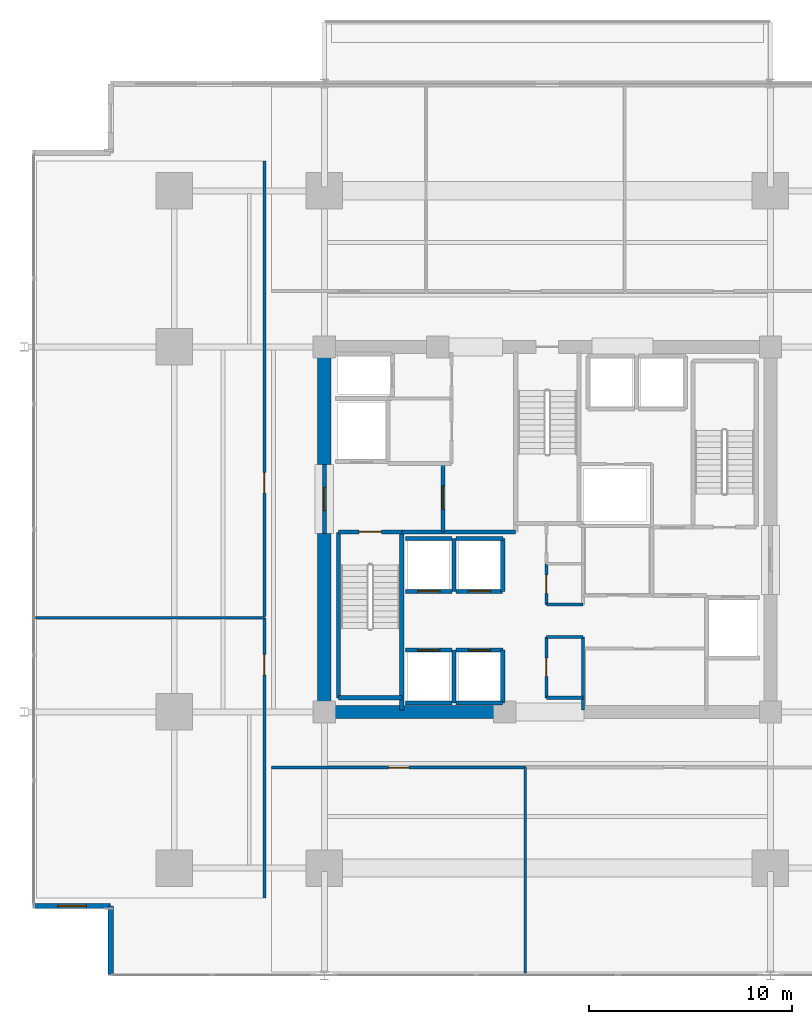
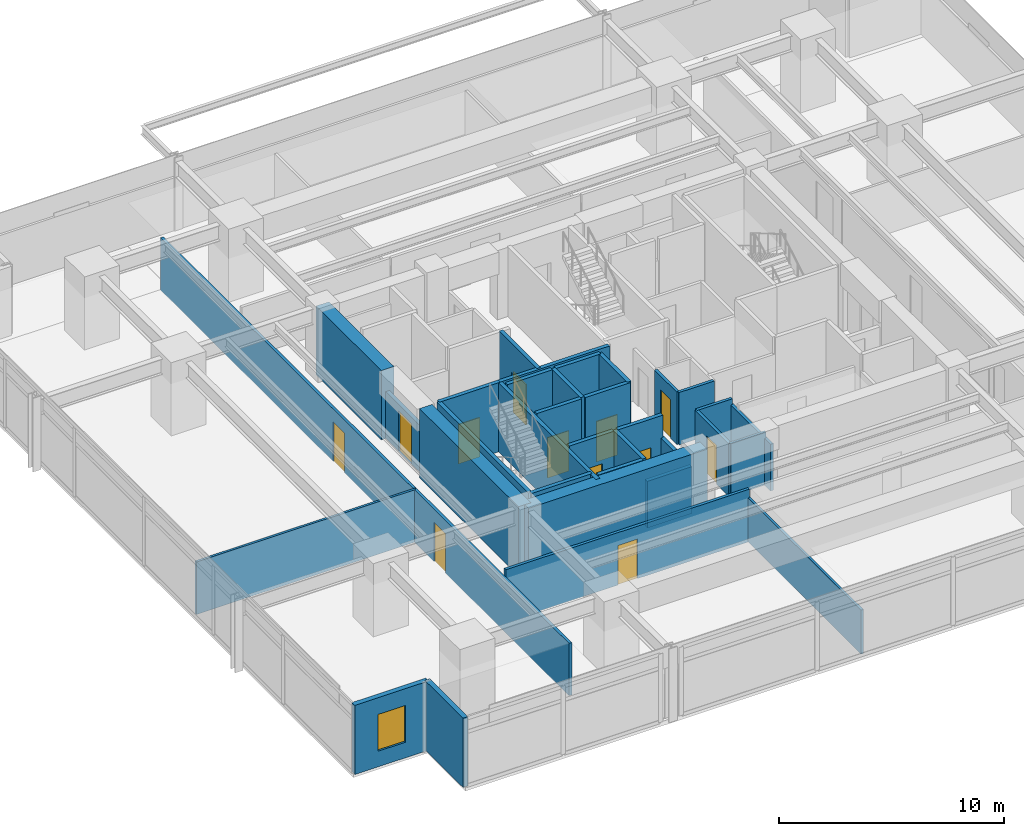
# One storey, part 15 of 22: 35 walls, 12 doors, 1 window, 13 openings.
"""IFC4 building model written with IfcOpenShell, lengths in metres."""

from ifc_helpers import new_model, si_unit, direction, frame, frame_2d, origin, place, context, subcontext, project, spatial, rectangle, extrude, material, layer, layer_set, type_object, element, fill, save


model = new_model("IFC4")

# Units and contexts
model_context = context("Model", 3, precision=1e-05, world=origin(), true_north=direction((0.0, 1.0)))
body_context = subcontext(model_context, "Body", "Model", "MODEL_VIEW")
ifc_project = project(units=[si_unit("LENGTHUNIT", "METRE"), si_unit("AREAUNIT", "SQUARE_METRE"), si_unit("VOLUMEUNIT", "CUBIC_METRE"), si_unit("PLANEANGLEUNIT", "RADIAN"), si_unit("MASSUNIT", "GRAM", prefix="KILO")], contexts=[model_context])

# Site, building, storey
site_placement = place(None, origin())
site = spatial("IfcSite", under=ifc_project, at=site_placement, CompositionType="ELEMENT")
building_placement = place(site_placement, origin())
building = spatial("IfcBuilding", under=site, at=building_placement, Name="Kovane Verandah Tower", CompositionType="ELEMENT")
storey_placement = place(building_placement, frame((0.0, 0.0, 43.60009765625)))
storey = spatial("IfcBuildingStorey", under=building, at=storey_placement, Name="L09", CompositionType="ELEMENT", Elevation=43.60009765625)

# Walls
ifc_material_1 = material(Name="Fire-Rated Gypsum Stud Partition", Category="gypsum")
ifc_layer_1 = layer(ifc_material_1, 0.14990234375)
ifc_layer_set_1 = layer_set([ifc_layer_1], Name="Fire-Rated Gypsum Stud Partition")
wall_type_1 = type_object("IfcWallType", Name="WL-COR-150", PredefinedType="PARTITIONING", material=ifc_layer_set_1)
for number, where, z_axis, x_axis, name in (
    (1, (39.949951171875, 19.199951171875, 0.0), (0.0, 0.0, 1.0), (1.0, 0.0, 0.0), "L09 Central Core Strip South Wall"),
    (2, (39.949951171875, 22.199951171875, 0.0), (0.0, 0.0, 1.0), (1.0, 0.0, 0.0), "L09 Core Cross-Passage South Wall"),
    (3, (39.949951171875, 23.800048828125, 0.0), (0.0, 0.0, 1.0), (1.0, 0.0, 0.0), "L09 Core Cross-Passage North Wall"),
):
    element("IfcWall", number, at=place(storey_placement, frame(where, z_axis=z_axis, x_axis=x_axis)), inside=storey, type_object=wall_type_1, Name=name, PredefinedType="PARTITIONING", context=body_context, shape_type="SweptSolid", body=[
        extrude(rectangle(XDim=1.81005859375, YDim=0.14990234375, at=frame_2d((0.905029296875, 0.0))), origin(), (0.0, 0.0, 1.0), 2.849853515625),
    ])
wall_1_placement = place(storey_placement, frame((41.760009765625, 18.60009765625, 0.0), z_axis=(0.0, 0.0, 1.0), x_axis=(0.0, 1.0, 0.0)))
element("IfcWall", 4, at=wall_1_placement, inside=storey, type_object=wall_type_1, Name="L09 Central Core Strip Lower East Wall", PredefinedType="PARTITIONING", context=body_context, shape_type="SweptSolid", body=[
    extrude(rectangle(XDim=3.599853515625, YDim=0.14990234375, at=frame_2d((1.7998046875, 0.0))), origin(), (0.0, 0.0, 1.0), 2.539794921875),
])

# Wall, opening, door
wall_2_placement = place(storey_placement, frame((39.949951171875, 19.199951171875, 0.0), z_axis=(0.0, 0.0, 1.0), x_axis=(0.0, 1.0, 0.0)))
wall_2 = element("IfcWall", 5, at=wall_2_placement, inside=storey, type_object=wall_type_1, Name="L09 Male Toilet Partition", PredefinedType="PARTITIONING", context=body_context, shape_type="SweptSolid", body=[
    extrude(rectangle(XDim=3.0, YDim=0.14990234375, at=frame_2d((1.5, 0.0))), origin(), (0.0, 0.0, 1.0), 2.849853515625),
])
opening_1_placement = place(wall_2_placement, frame((1.050048828125, 0.0, 0.0)))
opening_1 = element("IfcOpeningElement", 6, at=opening_1_placement, cuts=wall_2, Name="Opening DR-L09-026", PredefinedType="OPENING", context=body_context, shape_type="SweptSolid", body=[
    extrude(rectangle(XDim=0.89990234375, YDim=2.10009765625, at=frame_2d((0.449951171875, 1.050048828125))), frame((0.0, 0.074951171875, 0.0), z_axis=(0.0, -1.0, 0.0), x_axis=(1.0, 0.0, 0.0)), (0.0, 0.0, 1.0), 0.14990234375),
])
ifc_material_2 = material(Name="Moisture-Resistant Laminate Washroom Door", Category="wood")
door_type_1 = type_object("IfcDoorType", Name="DR-WC-900", OperationType="SINGLE_SWING_LEFT", PredefinedType="DOOR", material=ifc_material_2)
door_1_placement = place(opening_1_placement, origin())
door_1 = element("IfcDoor", 7, at=door_1_placement, inside=storey, type_object=door_type_1, Name="L09 Male Toilet Door", OperationType="SINGLE_SWING_LEFT", OverallHeight=2.10009765625, OverallWidth=0.89990234375, PredefinedType="DOOR", context=body_context, shape_type="SweptSolid", body=[
    extrude(rectangle(XDim=0.89990234375, YDim=2.10009765625, at=frame_2d((0.449951171875, 1.050048828125))), frame((0.0, 0.02490234375, 0.0), z_axis=(0.0, -1.0, 0.0), x_axis=(1.0, 0.0, 0.0)), (0.0, 0.0, 1.0), 0.050048828125),
])
fill(opening_1, door_1)

wall_3_placement = place(storey_placement, frame((39.949951171875, 23.800048828125, 0.0), z_axis=(0.0, 0.0, 1.0), x_axis=(0.0, 1.0, 0.0)))
wall_3 = element("IfcWall", 8, at=wall_3_placement, inside=storey, type_object=wall_type_1, Name="L09 Female Toilet Partition", PredefinedType="PARTITIONING", context=body_context, shape_type="SweptSolid", body=[
    extrude(rectangle(XDim=2.0, YDim=0.14990234375, at=frame_2d((1.0, 0.0))), origin(), (0.0, 0.0, 1.0), 2.849853515625),
])
opening_2_placement = place(wall_3_placement, frame((0.550048828125, 0.0, 0.0)))
opening_2 = element("IfcOpeningElement", 9, at=opening_2_placement, cuts=wall_3, Name="Opening DR-L09-025", PredefinedType="OPENING", context=body_context, shape_type="SweptSolid", body=[
    extrude(rectangle(XDim=0.89990234375, YDim=2.10009765625, at=frame_2d((0.449951171875, 1.050048828125))), frame((0.0, 0.074951171875, 0.0), z_axis=(0.0, -1.0, 0.0), x_axis=(1.0, 0.0, 0.0)), (0.0, 0.0, 1.0), 0.14990234375),
])
door_2_placement = place(opening_2_placement, origin())
door_2 = element("IfcDoor", 10, at=door_2_placement, inside=storey, type_object=door_type_1, Name="L09 Female Toilet Door", OperationType="SINGLE_SWING_RIGHT", OverallHeight=2.10009765625, OverallWidth=0.89990234375, PredefinedType="DOOR", context=body_context, shape_type="SweptSolid", body=[
    extrude(rectangle(XDim=0.89990234375, YDim=2.10009765625, at=frame_2d((0.449951171875, 1.050048828125))), frame((0.0, 0.02490234375, 0.0), z_axis=(0.0, -1.0, 0.0), x_axis=(1.0, 0.0, 0.0)), (0.0, 0.0, 1.0), 0.050048828125),
])
fill(opening_2, door_2)

wall_4_placement = place(storey_placement, frame((26.39990234375, 15.75, 0.0), z_axis=(0.0, 0.0, 1.0), x_axis=(1.0, 0.0, 0.0)))
wall_4 = element("IfcWall", 11, at=wall_4_placement, inside=storey, type_object=wall_type_1, Name="L09 Focus Studio S1 Corridor Partition", PredefinedType="PARTITIONING", context=body_context, shape_type="SweptSolid", body=[
    extrude(rectangle(XDim=12.51220703125, YDim=0.14990234375, at=frame_2d((6.256103515625, 0.0))), origin(), (0.0, 0.0, 1.0), 2.849853515625),
])
opening_3_placement = place(wall_4_placement, frame((5.77099609375, 0.0, 0.0)))
opening_3 = element("IfcOpeningElement", 12, at=opening_3_placement, cuts=wall_4, Name="Opening DR-L09-021", PredefinedType="OPENING", context=body_context, shape_type="SweptSolid", body=[
    extrude(rectangle(XDim=1.0, YDim=2.14990234375, at=frame_2d((0.5, 1.074951171875))), frame((0.0, 0.074951171875, 0.0), z_axis=(0.0, -1.0, 0.0), x_axis=(1.0, 0.0, 0.0)), (0.0, 0.0, 1.0), 0.14990234375),
])
ifc_material_3 = material(Name="FSC Spotted-Gum Timber Fire-Rated Office Door", Category="wood")
door_type_2 = type_object("IfcDoorType", Name="DR-OFF-1000", OperationType="SINGLE_SWING_LEFT", PredefinedType="DOOR", material=ifc_material_3)
door_3_placement = place(opening_3_placement, origin())
door_3 = element("IfcDoor", 13, at=door_3_placement, inside=storey, type_object=door_type_2, Name="L09 Focus Studio S1 Entrance Door", OperationType="SINGLE_SWING_RIGHT", OverallHeight=2.14990234375, OverallWidth=1.0, PredefinedType="DOOR", context=body_context, shape_type="SweptSolid", body=[
    extrude(rectangle(XDim=1.0, YDim=2.14990234375, at=frame_2d((0.5, 1.074951171875))), frame((0.0, 0.02490234375, 0.0), z_axis=(0.0, -1.0, 0.0), x_axis=(1.0, 0.0, 0.0)), (0.0, 0.0, 1.0), 0.050048828125),
])
fill(opening_3, door_3)

wall_5_placement = place(storey_placement, frame((26.050048828125, 9.326904296875, 0.0), z_axis=(0.0, 0.0, 1.0), x_axis=(0.0, 1.0, 0.0)))
wall_5 = element("IfcWall", 14, at=wall_5_placement, inside=storey, type_object=wall_type_1, Name="L09 Collaboration Hub W1 Corridor Partition", PredefinedType="PARTITIONING", context=body_context, shape_type="SweptSolid", body=[
    extrude(rectangle(XDim=13.8115234375, YDim=0.14990234375, at=frame_2d((6.90576171875, 0.0))), origin(), (0.0, 0.0, 1.0), 2.849853515625),
])
opening_4_placement = place(wall_5_placement, frame((11.00732421875, 0.0, 0.0)))
opening_4 = element("IfcOpeningElement", 15, at=opening_4_placement, cuts=wall_5, Name="Opening DR-L09-027", PredefinedType="OPENING", context=body_context, shape_type="SweptSolid", body=[
    extrude(rectangle(XDim=1.0, YDim=2.14990234375, at=frame_2d((0.5, 1.074951171875))), frame((0.0, 0.074951171875, 0.0), z_axis=(0.0, -1.0, 0.0), x_axis=(1.0, 0.0, 0.0)), (0.0, 0.0, 1.0), 0.14990234375),
])
door_4_placement = place(opening_4_placement, origin())
door_4 = element("IfcDoor", 16, at=door_4_placement, inside=storey, type_object=door_type_2, Name="L09 Collaboration Hub W1 Entrance Door", OperationType="SINGLE_SWING_RIGHT", OverallHeight=2.14990234375, OverallWidth=1.0, PredefinedType="DOOR", context=body_context, shape_type="SweptSolid", body=[
    extrude(rectangle(XDim=1.0, YDim=2.14990234375, at=frame_2d((0.5, 1.074951171875))), frame((0.0, 0.02490234375, 0.0), z_axis=(0.0, -1.0, 0.0), x_axis=(1.0, 0.0, 0.0)), (0.0, 0.0, 1.0), 0.050048828125),
])
fill(opening_4, door_4)

wall_6_placement = place(storey_placement, frame((26.050048828125, 23.20849609375, 0.0), z_axis=(0.0, 0.0, 1.0), x_axis=(0.0, 1.0, 0.0)))
wall_6 = element("IfcWall", 17, at=wall_6_placement, inside=storey, type_object=wall_type_1, Name="L09 Document and Print Room W2 Corridor Partition", PredefinedType="PARTITIONING", context=body_context, shape_type="SweptSolid", body=[
    extrude(rectangle(XDim=22.464599609375, YDim=0.14990234375, at=frame_2d((11.232421875, 0.0))), origin(), (0.0, 0.0, 1.0), 2.849853515625),
])
opening_5_placement = place(wall_6_placement, frame((6.095703125, 0.0, 0.0)))
opening_5 = element("IfcOpeningElement", 18, at=opening_5_placement, cuts=wall_6, Name="Opening DR-L09-028", PredefinedType="OPENING", context=body_context, shape_type="SweptSolid", body=[
    extrude(rectangle(XDim=1.0, YDim=2.14990234375, at=frame_2d((0.5, 1.074951171875))), frame((0.0, 0.074951171875, 0.0), z_axis=(0.0, -1.0, 0.0), x_axis=(1.0, 0.0, 0.0)), (0.0, 0.0, 1.0), 0.14990234375),
])
door_5_placement = place(opening_5_placement, origin())
door_5 = element("IfcDoor", 19, at=door_5_placement, inside=storey, type_object=door_type_2, Name="L09 Document and Print Room W2 Entrance Door", OperationType="SINGLE_SWING_LEFT", OverallHeight=2.14990234375, OverallWidth=1.0, PredefinedType="DOOR", context=body_context, shape_type="SweptSolid", body=[
    extrude(rectangle(XDim=1.0, YDim=2.14990234375, at=frame_2d((0.5, 1.074951171875))), frame((0.0, 0.02490234375, 0.0), z_axis=(0.0, -1.0, 0.0), x_axis=(1.0, 0.0, 0.0)), (0.0, 0.0, 1.0), 0.050048828125),
])
fill(opening_5, door_5)

# Walls
ifc_material_4 = material(Name="Concrete C80/95", Category="concrete")
ifc_layer_2 = layer(ifc_material_4, 0.64990234375)
ifc_layer_set_2 = layer_set([ifc_layer_2], Name="Concrete C80/95")
wall_type_2 = type_object("IfcWallType", Name="WL-CORE-650", PredefinedType="SHEAR", material=ifc_layer_set_2)
wall_7_placement = place(storey_placement, frame((29.0, 18.5, 0.0), z_axis=(0.0, 0.0, 1.0), x_axis=(1.0, 0.0, 0.0)))
element("IfcWall", 20, at=wall_7_placement, inside=storey, type_object=wall_type_2, Name="L09 Core Shear Wall CS-1", PredefinedType="SHEAR", context=body_context, shape_type="SweptSolid", body=[
    extrude(rectangle(XDim=9.199951171875, YDim=0.64990234375, at=frame_2d((4.60009765625, 0.0))), origin(), (0.0, 0.0, 1.0), 3.760009765625),
])
wall_8_placement = place(storey_placement, frame((29.0, 18.5, 0.0), z_axis=(0.0, 0.0, 1.0), x_axis=(0.0, 1.0, 0.0)))
element("IfcWall", 21, at=wall_8_placement, inside=storey, type_object=wall_type_2, Name="L09 Core Shear Wall CW-1", PredefinedType="SHEAR", context=body_context, shape_type="SweptSolid", body=[
    extrude(rectangle(XDim=8.800048828125, YDim=0.64990234375, at=frame_2d((4.39990234375, 0.0))), origin(), (0.0, 0.0, 1.0), 3.760009765625),
])
wall_9_placement = place(storey_placement, frame((29.0, 30.699951171875, 0.0), z_axis=(0.0, 0.0, 1.0), x_axis=(0.0, 1.0, 0.0)))
element("IfcWall", 22, at=wall_9_placement, inside=storey, type_object=wall_type_2, Name="L09 Core Shear Wall CW-2", PredefinedType="SHEAR", context=body_context, shape_type="SweptSolid", body=[
    extrude(rectangle(XDim=5.800048828125, YDim=0.64990234375, at=frame_2d((2.89990234375, 0.0))), origin(), (0.0, 0.0, 1.0), 3.760009765625),
])

# Wall, opening, door
ifc_material_5 = material(Name="Concrete C45/55 Fire Wall", Category="concrete")
ifc_layer_3 = layer(ifc_material_5, 0.199951171875)
ifc_layer_set_3 = layer_set([ifc_layer_3], Name="Concrete C45/55 Fire Wall")
wall_type_3 = type_object("IfcWallType", Name="WL-FFL-200", PredefinedType="PARTITIONING", material=ifc_layer_set_3)
wall_10_placement = place(storey_placement, frame((34.85009765625, 27.3798828125, 0.0), z_axis=(0.0, 0.0, 1.0), x_axis=(0.0, 1.0, 0.0)))
wall_10 = element("IfcWall", 23, at=wall_10_placement, inside=storey, type_object=wall_type_3, Name="W-L09-FFLW-E", PredefinedType="PARTITIONING", context=body_context, shape_type="SweptSolid", body=[
    extrude(rectangle(XDim=3.3701171875, YDim=0.199951171875, at=frame_2d((1.68505859375, 0.0))), origin(), (0.0, 0.0, 1.0), 3.760009765625),
])
opening_6_placement = place(wall_10_placement, frame((1.110107421875, 0.0, 0.0)))
opening_6 = element("IfcOpeningElement", 24, at=opening_6_placement, cuts=wall_10, Name="Opening DR-L09-006", PredefinedType="OPENING", context=body_context, shape_type="SweptSolid", body=[
    extrude(rectangle(XDim=1.14990234375, YDim=2.199951171875, at=frame_2d((0.574951171875, 1.10009765625))), frame((0.0, 0.10009765625, 0.0), z_axis=(0.0, -1.0, 0.0), x_axis=(1.0, 0.0, 0.0)), (0.0, 0.0, 1.0), 0.199951171875),
])
ifc_material_6 = material(Name="Smoke-Sealed Firefighting Lobby Door", Category="steel")
door_type_3 = type_object("IfcDoorType", Name="DR-FFL-1150", OperationType="SINGLE_SWING_LEFT", PredefinedType="DOOR", material=ifc_material_6)
door_6_placement = place(opening_6_placement, origin())
door_6 = element("IfcDoor", 25, at=door_6_placement, inside=storey, type_object=door_type_3, Name="L09 West Firefighting Lobby Inner Door", OperationType="SINGLE_SWING_LEFT", OverallHeight=2.199951171875, OverallWidth=1.14990234375, PredefinedType="DOOR", context=body_context, shape_type="SweptSolid", body=[
    extrude(rectangle(XDim=1.14990234375, YDim=2.199951171875, at=frame_2d((0.574951171875, 1.10009765625))), frame((0.0, 0.02490234375, 0.0), z_axis=(0.0, -1.0, 0.0), x_axis=(1.0, 0.0, 0.0)), (0.0, 0.0, 1.0), 0.050048828125),
])
fill(opening_6, door_6)

wall_11_placement = place(storey_placement, frame((29.0, 27.300048828125, 0.0), z_axis=(0.0, 0.0, 1.0), x_axis=(0.0, 1.0, 0.0)))
wall_11 = element("IfcWall", 26, at=wall_11_placement, inside=storey, type_object=wall_type_3, Name="W-L09-FFLW-OUT", PredefinedType="PARTITIONING", context=body_context, shape_type="SweptSolid", body=[
    extrude(rectangle(XDim=3.39990234375, YDim=0.199951171875, at=frame_2d((1.699951171875, 0.0))), origin(), (0.0, 0.0, 1.0), 2.539794921875),
])
opening_7_placement = place(wall_11_placement, frame((1.125, 0.0, 0.0)))
opening_7 = element("IfcOpeningElement", 27, at=opening_7_placement, cuts=wall_11, Name="Opening DR-L09-007", PredefinedType="OPENING", context=body_context, shape_type="SweptSolid", body=[
    extrude(rectangle(XDim=1.14990234375, YDim=2.199951171875, at=frame_2d((0.574951171875, 1.10009765625))), frame((0.0, 0.10009765625, 0.0), z_axis=(0.0, -1.0, 0.0), x_axis=(1.0, 0.0, 0.0)), (0.0, 0.0, 1.0), 0.199951171875),
])
door_7_placement = place(opening_7_placement, origin())
door_7 = element("IfcDoor", 28, at=door_7_placement, inside=storey, type_object=door_type_3, Name="L09 West Firefighting Lobby Corridor Door", OperationType="SINGLE_SWING_RIGHT", OverallHeight=2.199951171875, OverallWidth=1.14990234375, PredefinedType="DOOR", context=body_context, shape_type="SweptSolid", body=[
    extrude(rectangle(XDim=1.14990234375, YDim=2.199951171875, at=frame_2d((0.574951171875, 1.10009765625))), frame((0.0, 0.02490234375, 0.0), z_axis=(0.0, -1.0, 0.0), x_axis=(1.0, 0.0, 0.0)), (0.0, 0.0, 1.0), 0.050048828125),
])
fill(opening_7, door_7)

# Walls
wall_12_placement = place(storey_placement, frame((32.820068359375, 27.3798828125, 0.0), z_axis=(0.0, 0.0, 1.0), x_axis=(1.0, 0.0, 0.0)))
element("IfcWall", 29, at=wall_12_placement, inside=storey, type_object=wall_type_3, Name="L09 West Firefighting Lobby South Fire Wall", PredefinedType="PARTITIONING", context=body_context, shape_type="SweptSolid", body=[
    extrude(rectangle(XDim=5.619873046875, YDim=0.199951171875, at=frame_2d((2.81005859375, 0.0))), origin(), (0.0, 0.0, 1.0), 3.760009765625),
])
ifc_material_7 = material(Name="Concrete C45/55 Lift Shaft Wall", Category="concrete")
ifc_layer_4 = layer(ifc_material_7, 0.199951171875)
ifc_layer_set_4 = layer_set([ifc_layer_4], Name="Concrete C45/55 Lift Shaft Wall")
wall_type_4 = type_object("IfcWallType", Name="WL-LIFT-200", PredefinedType="SOLIDWALL", material=ifc_layer_set_4)
wall_13_placement = place(storey_placement, frame((33.0, 18.949951171875, 0.0), z_axis=(0.0, 0.0, 1.0), x_axis=(1.0, 0.0, 0.0)))
element("IfcWall", 30, at=wall_13_placement, inside=storey, type_object=wall_type_4, Name="L09 Lift PL-L1 S Shaft Wall", PredefinedType="SOLIDWALL", context=body_context, shape_type="SweptSolid", body=[
    extrude(rectangle(XDim=2.300048828125, YDim=0.199951171875, at=frame_2d((1.14990234375, 0.0))), origin(), (0.0, 0.0, 1.0), 3.760009765625),
])

# Wall, opening, door
wall_14_placement = place(storey_placement, frame((35.300048828125, 21.550048828125, 0.0), z_axis=(0.0, 0.0, 1.0), x_axis=(-1.0, 0.0, 0.0)))
wall_14 = element("IfcWall", 31, at=wall_14_placement, inside=storey, type_object=wall_type_4, Name="L09 Lift PL-L1 N Shaft Wall", PredefinedType="SOLIDWALL", context=body_context, shape_type="SweptSolid", body=[
    extrude(rectangle(XDim=2.300048828125, YDim=0.199951171875, at=frame_2d((1.14990234375, 0.0))), origin(), (0.0, 0.0, 1.0), 3.760009765625),
])
opening_8_placement = place(wall_14_placement, frame((0.60009765625, 0.0, 0.0)))
opening_8 = element("IfcOpeningElement", 32, at=opening_8_placement, cuts=wall_14, Name="Opening LD-L09-004", PredefinedType="OPENING", context=body_context, shape_type="SweptSolid", body=[
    extrude(rectangle(XDim=1.10009765625, YDim=2.199951171875, at=frame_2d((0.550048828125, 1.10009765625))), frame((0.0, 0.10009765625, 0.0), z_axis=(0.0, -1.0, 0.0), x_axis=(1.0, 0.0, 0.0)), (0.0, 0.0, 1.0), 0.199951171875),
])
ifc_material_8 = material(Name="Brushed Stainless Steel Sliding Lift Landing Door", Category="steel")
door_type_4 = type_object("IfcDoorType", Name="DR-LIFT-1100", OperationType="SLIDING_TO_RIGHT", PredefinedType="DOOR", material=ifc_material_8)
door_8_placement = place(opening_8_placement, origin())
door_8 = element("IfcDoor", 33, at=door_8_placement, inside=storey, type_object=door_type_4, Name="L09 Lift PL-L1 Sliding Landing Door", OperationType="SLIDING_TO_RIGHT", OverallHeight=2.199951171875, OverallWidth=1.10009765625, PredefinedType="DOOR", context=body_context, shape_type="SweptSolid", body=[
    extrude(rectangle(XDim=1.10009765625, YDim=2.199951171875, at=frame_2d((0.550048828125, 1.10009765625))), frame((0.0, 0.02490234375, 0.0), z_axis=(0.0, -1.0, 0.0), x_axis=(1.0, 0.0, 0.0)), (0.0, 0.0, 1.0), 0.050048828125),
])
fill(opening_8, door_8)

# Walls
wall_15_placement = place(storey_placement, frame((35.39990234375, 18.949951171875, 0.0), z_axis=(0.0, 0.0, 1.0), x_axis=(0.0, 1.0, 0.0)))
element("IfcWall", 34, at=wall_15_placement, inside=storey, type_object=wall_type_4, Name="L09 Lift PL-L1 and PL-L2 Shared Shaft Wall", PredefinedType="SOLIDWALL", context=body_context, shape_type="SweptSolid", body=[
    extrude(rectangle(XDim=2.60009765625, YDim=0.199951171875, at=frame_2d((1.300048828125, 0.0))), origin(), (0.0, 0.0, 1.0), 3.760009765625),
])
wall_16_placement = place(storey_placement, frame((35.5, 18.949951171875, 0.0), z_axis=(0.0, 0.0, 1.0), x_axis=(1.0, 0.0, 0.0)))
element("IfcWall", 35, at=wall_16_placement, inside=storey, type_object=wall_type_4, Name="L09 Lift PL-L2 S Shaft Wall", PredefinedType="SOLIDWALL", context=body_context, shape_type="SweptSolid", body=[
    extrude(rectangle(XDim=2.300048828125, YDim=0.199951171875, at=frame_2d((1.14990234375, 0.0))), origin(), (0.0, 0.0, 1.0), 2.539794921875),
])

# Wall, opening, door
wall_17_placement = place(storey_placement, frame((37.800048828125, 21.550048828125, 0.0), z_axis=(0.0, 0.0, 1.0), x_axis=(-1.0, 0.0, 0.0)))
wall_17 = element("IfcWall", 36, at=wall_17_placement, inside=storey, type_object=wall_type_4, Name="L09 Lift PL-L2 N Shaft Wall", PredefinedType="SOLIDWALL", context=body_context, shape_type="SweptSolid", body=[
    extrude(rectangle(XDim=2.300048828125, YDim=0.199951171875, at=frame_2d((1.14990234375, 0.0))), origin(), (0.0, 0.0, 1.0), 3.760009765625),
])
opening_9_placement = place(wall_17_placement, frame((0.60009765625, 0.0, 0.0)))
opening_9 = element("IfcOpeningElement", 37, at=opening_9_placement, cuts=wall_17, Name="Opening LD-L09-005", PredefinedType="OPENING", context=body_context, shape_type="SweptSolid", body=[
    extrude(rectangle(XDim=1.10009765625, YDim=2.199951171875, at=frame_2d((0.550048828125, 1.10009765625))), frame((0.0, 0.10009765625, 0.0), z_axis=(0.0, -1.0, 0.0), x_axis=(1.0, 0.0, 0.0)), (0.0, 0.0, 1.0), 0.199951171875),
])
door_9_placement = place(opening_9_placement, origin())
door_9 = element("IfcDoor", 38, at=door_9_placement, inside=storey, type_object=door_type_4, Name="L09 Lift PL-L2 Sliding Landing Door", OperationType="SLIDING_TO_RIGHT", OverallHeight=2.199951171875, OverallWidth=1.10009765625, PredefinedType="DOOR", context=body_context, shape_type="SweptSolid", body=[
    extrude(rectangle(XDim=1.10009765625, YDim=2.199951171875, at=frame_2d((0.550048828125, 1.10009765625))), frame((0.0, 0.02490234375, 0.0), z_axis=(0.0, -1.0, 0.0), x_axis=(1.0, 0.0, 0.0)), (0.0, 0.0, 1.0), 0.050048828125),
])
fill(opening_9, door_9)

# Wall
wall_18_placement = place(storey_placement, frame((37.800048828125, 18.949951171875, 0.0), z_axis=(0.0, 0.0, 1.0), x_axis=(0.0, 1.0, 0.0)))
element("IfcWall", 39, at=wall_18_placement, inside=storey, type_object=wall_type_4, Name="L09 Lift PL-L2 E Shaft Wall", PredefinedType="SOLIDWALL", context=body_context, shape_type="SweptSolid", body=[
    extrude(rectangle(XDim=2.60009765625, YDim=0.199951171875, at=frame_2d((1.300048828125, 0.0))), origin(), (0.0, 0.0, 1.0), 2.539794921875),
])

# Wall, opening, door
wall_19_placement = place(storey_placement, frame((33.0, 24.449951171875, 0.0), z_axis=(0.0, 0.0, 1.0), x_axis=(1.0, 0.0, 0.0)))
wall_19 = element("IfcWall", 40, at=wall_19_placement, inside=storey, type_object=wall_type_4, Name="L09 Lift PL-L3 S Shaft Wall", PredefinedType="SOLIDWALL", context=body_context, shape_type="SweptSolid", body=[
    extrude(rectangle(XDim=2.300048828125, YDim=0.199951171875, at=frame_2d((1.14990234375, 0.0))), origin(), (0.0, 0.0, 1.0), 3.760009765625),
])
opening_10_placement = place(wall_19_placement, frame((0.60009765625, 0.0, 0.0)))
opening_10 = element("IfcOpeningElement", 41, at=opening_10_placement, cuts=wall_19, Name="Opening LD-L09-006", PredefinedType="OPENING", context=body_context, shape_type="SweptSolid", body=[
    extrude(rectangle(XDim=1.10009765625, YDim=2.199951171875, at=frame_2d((0.550048828125, 1.10009765625))), frame((0.0, 0.10009765625, 0.0), z_axis=(0.0, -1.0, 0.0), x_axis=(1.0, 0.0, 0.0)), (0.0, 0.0, 1.0), 0.199951171875),
])
door_10_placement = place(opening_10_placement, origin())
door_10 = element("IfcDoor", 42, at=door_10_placement, inside=storey, type_object=door_type_4, Name="L09 Lift PL-L3 Sliding Landing Door", OperationType="SLIDING_TO_RIGHT", OverallHeight=2.199951171875, OverallWidth=1.10009765625, PredefinedType="DOOR", context=body_context, shape_type="SweptSolid", body=[
    extrude(rectangle(XDim=1.10009765625, YDim=2.199951171875, at=frame_2d((0.550048828125, 1.10009765625))), frame((0.0, 0.02490234375, 0.0), z_axis=(0.0, -1.0, 0.0), x_axis=(1.0, 0.0, 0.0)), (0.0, 0.0, 1.0), 0.050048828125),
])
fill(opening_10, door_10)

# Walls
wall_20_placement = place(storey_placement, frame((35.300048828125, 27.050048828125, 0.0), z_axis=(0.0, 0.0, 1.0), x_axis=(-1.0, 0.0, 0.0)))
element("IfcWall", 43, at=wall_20_placement, inside=storey, type_object=wall_type_4, Name="L09 Lift PL-L3 N Shaft Wall", PredefinedType="SOLIDWALL", context=body_context, shape_type="SweptSolid", body=[
    extrude(rectangle(XDim=2.300048828125, YDim=0.199951171875, at=frame_2d((1.14990234375, 0.0))), origin(), (0.0, 0.0, 1.0), 3.760009765625),
])
wall_21_placement = place(storey_placement, frame((35.39990234375, 24.449951171875, 0.0), z_axis=(0.0, 0.0, 1.0), x_axis=(0.0, 1.0, 0.0)))
element("IfcWall", 44, at=wall_21_placement, inside=storey, type_object=wall_type_4, Name="L09 Lift PL-L3 and PL-L4 Shared Shaft Wall", PredefinedType="SOLIDWALL", context=body_context, shape_type="SweptSolid", body=[
    extrude(rectangle(XDim=2.60009765625, YDim=0.199951171875, at=frame_2d((1.300048828125, 0.0))), origin(), (0.0, 0.0, 1.0), 3.760009765625),
])

# Wall, opening, door
wall_22_placement = place(storey_placement, frame((35.5, 24.449951171875, 0.0), z_axis=(0.0, 0.0, 1.0), x_axis=(1.0, 0.0, 0.0)))
wall_22 = element("IfcWall", 45, at=wall_22_placement, inside=storey, type_object=wall_type_4, Name="L09 Lift PL-L4 S Shaft Wall", PredefinedType="SOLIDWALL", context=body_context, shape_type="SweptSolid", body=[
    extrude(rectangle(XDim=2.300048828125, YDim=0.199951171875, at=frame_2d((1.14990234375, 0.0))), origin(), (0.0, 0.0, 1.0), 3.760009765625),
])
opening_11_placement = place(wall_22_placement, frame((0.60009765625, 0.0, 0.0)))
opening_11 = element("IfcOpeningElement", 46, at=opening_11_placement, cuts=wall_22, Name="Opening LD-L09-007", PredefinedType="OPENING", context=body_context, shape_type="SweptSolid", body=[
    extrude(rectangle(XDim=1.10009765625, YDim=2.199951171875, at=frame_2d((0.550048828125, 1.10009765625))), frame((0.0, 0.10009765625, 0.0), z_axis=(0.0, -1.0, 0.0), x_axis=(1.0, 0.0, 0.0)), (0.0, 0.0, 1.0), 0.199951171875),
])
door_11_placement = place(opening_11_placement, origin())
door_11 = element("IfcDoor", 47, at=door_11_placement, inside=storey, type_object=door_type_4, Name="L09 Lift PL-L4 Sliding Landing Door", OperationType="SLIDING_TO_RIGHT", OverallHeight=2.199951171875, OverallWidth=1.10009765625, PredefinedType="DOOR", context=body_context, shape_type="SweptSolid", body=[
    extrude(rectangle(XDim=1.10009765625, YDim=2.199951171875, at=frame_2d((0.550048828125, 1.10009765625))), frame((0.0, 0.02490234375, 0.0), z_axis=(0.0, -1.0, 0.0), x_axis=(1.0, 0.0, 0.0)), (0.0, 0.0, 1.0), 0.050048828125),
])
fill(opening_11, door_11)

# Walls
wall_23_placement = place(storey_placement, frame((37.800048828125, 27.050048828125, 0.0), z_axis=(0.0, 0.0, 1.0), x_axis=(-1.0, 0.0, 0.0)))
element("IfcWall", 48, at=wall_23_placement, inside=storey, type_object=wall_type_4, Name="L09 Lift PL-L4 N Shaft Wall", PredefinedType="SOLIDWALL", context=body_context, shape_type="SweptSolid", body=[
    extrude(rectangle(XDim=2.300048828125, YDim=0.199951171875, at=frame_2d((1.14990234375, 0.0))), origin(), (0.0, 0.0, 1.0), 3.760009765625),
])
wall_24_placement = place(storey_placement, frame((37.800048828125, 24.449951171875, 0.0), z_axis=(0.0, 0.0, 1.0), x_axis=(0.0, 1.0, 0.0)))
element("IfcWall", 49, at=wall_24_placement, inside=storey, type_object=wall_type_4, Name="L09 Lift PL-L4 E Shaft Wall", PredefinedType="SOLIDWALL", context=body_context, shape_type="SweptSolid", body=[
    extrude(rectangle(XDim=2.60009765625, YDim=0.199951171875, at=frame_2d((1.300048828125, 0.0))), origin(), (0.0, 0.0, 1.0), 3.760009765625),
])
ifc_material_9 = material(Name="Acoustic Fire-Rated Gypsum Partition", Category="gypsum")
ifc_layer_5 = layer(ifc_material_9, 0.1201171875)
ifc_layer_set_5 = layer_set([ifc_layer_5], Name="Acoustic Fire-Rated Gypsum Partition")
wall_type_5 = type_object("IfcWallType", Name="WL-PART-120", PredefinedType="PARTITIONING", material=ifc_layer_set_5)
wall_25_placement = place(storey_placement, frame((38.912109375, 5.626953125, 0.0), z_axis=(0.0, 0.0, 1.0), x_axis=(0.0, 1.0, 0.0)))
element("IfcWall", 50, at=wall_25_placement, inside=storey, type_object=wall_type_5, Name="L09 Focus Studio S1 Dividing Partition", PredefinedType="PARTITIONING", context=body_context, shape_type="SweptSolid", body=[
    extrude(rectangle(XDim=10.123046875, YDim=0.1201171875, at=frame_2d((5.0615234375, 0.0))), origin(), (0.0, 0.0, 1.0), 2.389892578125),
])
wall_26_placement = place(storey_placement, frame((14.76708984375, 23.138427734375, 0.0), z_axis=(0.0, 0.0, 1.0), x_axis=(1.0, 0.0, 0.0)))
element("IfcWall", 51, at=wall_26_placement, inside=storey, type_object=wall_type_5, Name="L09 Collaboration Hub W1 Dividing Partition", PredefinedType="PARTITIONING", context=body_context, shape_type="SweptSolid", body=[
    extrude(rectangle(XDim=11.282958984375, YDim=0.1201171875, at=frame_2d((5.6416015625, 0.0))), origin(), (0.0, 0.0, 1.0), 2.849853515625),
])
ifc_material_10 = material(Name="Concrete C45/55", Category="concrete")
ifc_layer_6 = layer(ifc_material_10, 0.199951171875)
ifc_layer_set_6 = layer_set([ifc_layer_6], Name="Concrete C45/55")
wall_type_6 = type_object("IfcWallType", Name="WL-SHAFT-200", PredefinedType="SOLIDWALL", material=ifc_layer_set_6)
wall_27_placement = place(storey_placement, frame((29.699951171875, 19.199951171875, 0.0), z_axis=(0.0, 0.0, 1.0), x_axis=(0.0, 1.0, 0.0)))
element("IfcWall", 52, at=wall_27_placement, inside=storey, type_object=wall_type_6, Name="W-L09-ST01-W", PredefinedType="SOLIDWALL", context=body_context, shape_type="SweptSolid", body=[
    extrude(rectangle(XDim=8.150146484375, YDim=0.199951171875, at=frame_2d((4.0751953125, 0.0))), origin(), (0.0, 0.0, 1.0), 3.760009765625),
])
wall_28_placement = place(storey_placement, frame((29.699951171875, 19.199951171875, 0.0), z_axis=(0.0, 0.0, 1.0), x_axis=(1.0, 0.0, 0.0)))
element("IfcWall", 53, at=wall_28_placement, inside=storey, type_object=wall_type_6, Name="W-L09-ST01-S", PredefinedType="SOLIDWALL", context=body_context, shape_type="SweptSolid", body=[
    extrude(rectangle(XDim=3.1201171875, YDim=0.199951171875, at=frame_2d((1.56005859375, 0.0))), origin(), (0.0, 0.0, 1.0), 3.760009765625),
])
wall_29_placement = place(storey_placement, frame((32.820068359375, 18.60009765625, 0.0), z_axis=(0.0, 0.0, 1.0), x_axis=(0.0, 1.0, 0.0)))
element("IfcWall", 54, at=wall_29_placement, inside=storey, type_object=wall_type_6, Name="W-L09-ST01-E", PredefinedType="SOLIDWALL", context=body_context, shape_type="SweptSolid", body=[
    extrude(rectangle(XDim=8.77978515625, YDim=0.199951171875, at=frame_2d((4.389892578125, 0.0))), origin(), (0.0, 0.0, 1.0), 3.760009765625),
])

# Wall, opening, door
wall_30_placement = place(storey_placement, frame((29.699951171875, 27.3798828125, 0.0), z_axis=(0.0, 0.0, 1.0), x_axis=(1.0, 0.0, 0.0)))
wall_30 = element("IfcWall", 55, at=wall_30_placement, inside=storey, type_object=wall_type_6, Name="W-L09-ST01-N", PredefinedType="SOLIDWALL", context=body_context, shape_type="SweptSolid", body=[
    extrude(rectangle(XDim=3.1201171875, YDim=0.199951171875, at=frame_2d((1.56005859375, 0.0))), origin(), (0.0, 0.0, 1.0), 3.760009765625),
])
opening_12_placement = place(wall_30_placement, frame((1.010009765625, 0.0, 0.0)))
opening_12 = element("IfcOpeningElement", 56, at=opening_12_placement, cuts=wall_30, Name="Opening DR-L09-009", PredefinedType="OPENING", context=body_context, shape_type="SweptSolid", body=[
    extrude(rectangle(XDim=1.10009765625, YDim=2.14990234375, at=frame_2d((0.550048828125, 1.074951171875))), frame((0.0, 0.10009765625, 0.0), z_axis=(0.0, -1.0, 0.0), x_axis=(1.0, 0.0, 0.0)), (0.0, 0.0, 1.0), 0.199951171875),
])
ifc_material_11 = material(Name="Fire-Rated Steel Exit Door", Category="steel")
door_type_5 = type_object("IfcDoorType", Name="DR-STAIR-1100", OperationType="SINGLE_SWING_LEFT", PredefinedType="DOOR", material=ifc_material_11)
door_12_placement = place(opening_12_placement, origin())
door_12 = element("IfcDoor", 57, at=door_12_placement, inside=storey, type_object=door_type_5, Name="L09 ST-01 Fire Exit Stair Door", OperationType="SINGLE_SWING_RIGHT", OverallHeight=2.14990234375, OverallWidth=1.10009765625, PredefinedType="DOOR", context=body_context, shape_type="SweptSolid", body=[
    extrude(rectangle(XDim=1.10009765625, YDim=2.14990234375, at=frame_2d((0.550048828125, 1.074951171875))), frame((0.0, 0.02490234375, 0.0), z_axis=(0.0, -1.0, 0.0), x_axis=(1.0, 0.0, 0.0)), (0.0, 0.0, 1.0), 0.050048828125),
])
fill(opening_12, door_12)

# Wall, opening, window
ifc_material_12 = material(Name="Concrete C45/55 Insulated Spandrel Wall", Category="concrete")
ifc_layer_7 = layer(ifc_material_12, 0.260009765625)
ifc_layer_set_7 = layer_set([ifc_layer_7], Name="Concrete C45/55 Insulated Spandrel Wall")
wall_type_7 = type_object("IfcWallType", Name="WL-SPANDREL-260", PredefinedType="PARAPET", material=ifc_layer_set_7)
wall_31_placement = place(storey_placement, frame((14.6669921875, 8.927001953125, 0.0), z_axis=(0.0, 0.0, 1.0), x_axis=(1.0, 0.0, 0.0)))
wall_31 = element("IfcWall", 58, at=wall_31_placement, inside=storey, type_object=wall_type_7, Name="L09 SW Notch Cheek Wall 1", PredefinedType="PARAPET", context=body_context, shape_type="SweptSolid", body=[
    extrude(rectangle(XDim=3.800048828125, YDim=0.260009765625, at=frame_2d((1.89990234375, 0.0))), origin(), (0.0, 0.0, 1.0), 3.760009765625),
])
opening_13_placement = place(wall_31_placement, frame((1.199951171875, 0.0, 0.85009765625)))
opening_13 = element("IfcOpeningElement", 59, at=opening_13_placement, cuts=wall_31, Name="Opening W-01", PredefinedType="OPENING", context=body_context, shape_type="SweptSolid", body=[
    extrude(rectangle(XDim=1.39990234375, YDim=2.0, at=frame_2d((0.699951171875, 1.0))), frame((0.0, 0.1298828125, 0.0), z_axis=(0.0, -1.0, 0.0), x_axis=(1.0, 0.0, 0.0)), (0.0, 0.0, 1.0), 0.260009765625),
])
ifc_material_13 = material(Name="Clear Low-E Laminated Double Glazing in Anodised Frame", Category="glass")
window_type = type_object("IfcWindowType", Name="WN-OPER-1400x2000", PartitioningType="SINGLE_PANEL", PredefinedType="WINDOW", material=ifc_material_13)
window_placement = place(opening_13_placement, origin())
window = element("IfcWindow", 60, at=window_placement, inside=storey, type_object=window_type, Name="L09 SW Re-Entrant Corner Operable Window", OverallHeight=2.0, OverallWidth=1.39990234375, PartitioningType="SINGLE_PANEL", PredefinedType="WINDOW", context=body_context, shape_type="SweptSolid", body=[
    extrude(rectangle(XDim=1.39990234375, YDim=2.0, at=frame_2d((0.699951171875, 1.0))), frame((0.0, 0.030029296875, 0.0), z_axis=(0.0, -1.0, 0.0), x_axis=(1.0, 0.0, 0.0)), (0.0, 0.0, 1.0), 0.06005859375),
])
fill(opening_13, window)

# Wall
wall_32_placement = place(storey_placement, frame((18.467041015625, 8.927001953125, 0.0), z_axis=(0.0, 0.0, 1.0), x_axis=(0.0, -1.0, 0.0)))
element("IfcWall", 61, at=wall_32_placement, inside=storey, type_object=wall_type_7, Name="L09 SW Notch Cheek Wall 2", PredefinedType="PARAPET", context=body_context, shape_type="SweptSolid", body=[
    extrude(rectangle(XDim=3.400146484375, YDim=0.260009765625, at=frame_2d((1.7001953125, 0.0))), origin(), (0.0, 0.0, 1.0), 3.760009765625),
])

save(model, "model.ifc")
